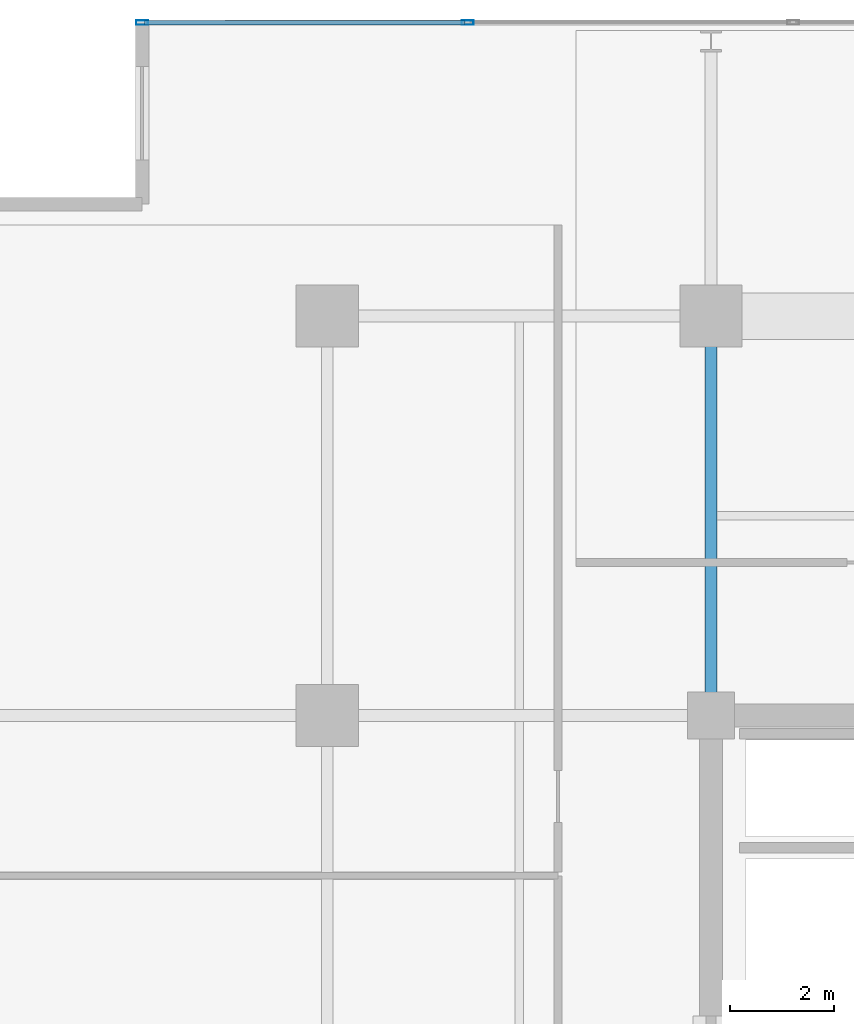
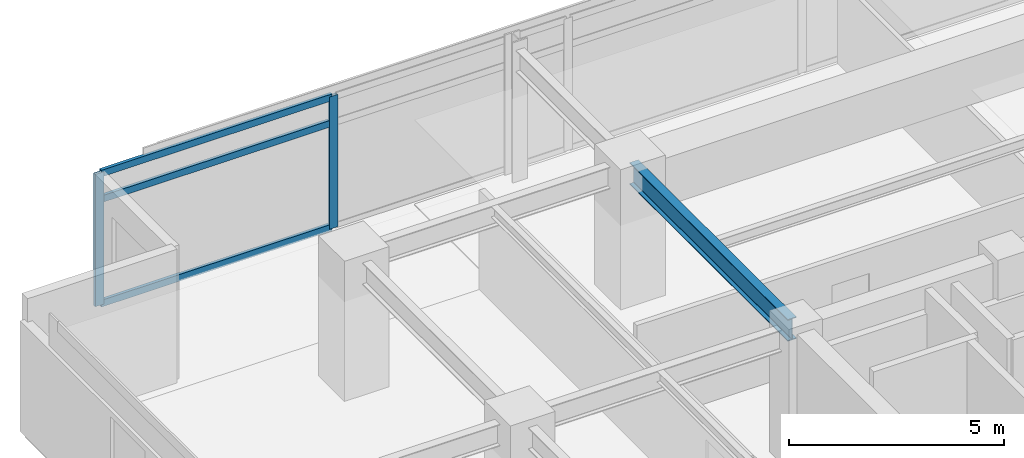
# One storey, part 8 of 21: 5 members, 1 beam, 1 element without a shape of its own.
"""IFC4 building model written with IfcOpenShell, lengths in metres."""

import ifcopenshell
import ifcopenshell.guid

model = None  # the IFC model being written
_history = None  # IfcOwnerHistory: only IFC2X3 demands one
_inside = {}  # id of a spatial element -> (the spatial element, [elements in it])
_under = {}  # id of a project, library or spatial element -> (it, [spatial elements below it])
_declared = {}  # id of a project -> (the project, [libraries it declares])
_typed = {}  # id of a type object -> (the type object, [elements of that type])
_made_of = {}  # id of a material, layer set ... -> (it, [elements and type objects made of it])


def new_model(schema):
    """Start an empty IFC model of exactly this schema.

    Asked for "IFC4X3", IfcOpenShell would pick the latest addendum, in which some entities
    have other attributes; the version numbers below select the first issue.
    IFC2X3 requires an IfcOwnerHistory on every rooted entity: one is made here for all.
    """
    global model, _history
    if schema == "IFC4X3":
        model = ifcopenshell.file(schema_version=(4, 3, 0, 0))
    else:
        model = ifcopenshell.file(schema=schema)
    _inside.clear()
    _under.clear()
    _declared.clear()
    _typed.clear()
    _made_of.clear()
    _history = None
    if model.schema == "IFC2X3":
        org = make("IfcOrganization", Name="unknown")
        user = make(
            "IfcPersonAndOrganization",
            ThePerson=make("IfcPerson", FamilyName="unknown"),
            TheOrganization=org,
        )
        app = make(
            "IfcApplication",
            ApplicationDeveloper=org,
            Version="unknown",
            ApplicationFullName="unknown",
            ApplicationIdentifier="unknown",
        )
        _history = make(
            "IfcOwnerHistory",
            OwningUser=user,
            OwningApplication=app,
            ChangeAction="ADDED",
            CreationDate=0,
        )
    return model


def make(cls, **values):
    """One entity of the class cls with the attributes given. An attribute that is None is left unset."""
    return model.create_entity(
        cls, **{name: value for name, value in values.items() if value is not None}
    )


def rooted(cls, **values):
    """An entity with a GlobalId (a new one), such as an element, a storey or a relation."""
    return make(cls, GlobalId=ifcopenshell.guid.new(), OwnerHistory=_history, **values)


def si_unit(unit_type, name, prefix=None):
    """IfcSIUnit, for example si_unit("LENGTHUNIT", "METRE", prefix="MILLI")."""
    return make("IfcSIUnit", UnitType=unit_type, Prefix=prefix, Name=name)


def assignment(units):
    """IfcUnitAssignment: the units of a project."""
    return None if units is None else make("IfcUnitAssignment", Units=units)


def point(xyz):
    """IfcCartesianPoint."""
    return None if xyz is None else make("IfcCartesianPoint", Coordinates=xyz)


def direction(xyz):
    """IfcDirection."""
    return None if xyz is None else make("IfcDirection", DirectionRatios=xyz)


def frame(location, z_axis=None, x_axis=None):
    """IfcAxis2Placement3D, a coordinate frame: its origin and axes. An axis left out is left unset."""
    return make(
        "IfcAxis2Placement3D",
        Location=point(location),
        Axis=direction(z_axis),
        RefDirection=direction(x_axis),
    )


def frame_2d(location, x_axis=None):
    """IfcAxis2Placement2D, a coordinate frame in the plane: its origin and x axis."""
    return make(
        "IfcAxis2Placement2D", Location=point(location), RefDirection=direction(x_axis)
    )


def origin():
    """The frame at (0, 0, 0) with its axes left unset."""
    return frame((0.0, 0.0, 0.0))


def origin_2d():
    """The frame at (0, 0) in the plane with its x axis left unset."""
    return frame_2d((0.0, 0.0))


def place(relative_to, where):
    """IfcLocalPlacement: puts the frame where relative to a parent placement (None: the world)."""
    return make(
        "IfcLocalPlacement", PlacementRelTo=relative_to, RelativePlacement=where
    )


def context(
    kind, dimensions, precision=None, world=None, true_north=None, identifier=None
):
    """IfcGeometricRepresentationContext, for example the 3D "Model" context."""
    return make(
        "IfcGeometricRepresentationContext",
        ContextIdentifier=identifier,
        ContextType=kind,
        CoordinateSpaceDimension=dimensions,
        Precision=precision,
        WorldCoordinateSystem=world,
        TrueNorth=true_north,
    )


def subcontext(parent, identifier, kind, view, scale=None):
    """IfcGeometricRepresentationSubContext, for example "Body" below "Model"."""
    return make(
        "IfcGeometricRepresentationSubContext",
        ContextIdentifier=identifier,
        ContextType=kind,
        ParentContext=parent,
        TargetScale=scale,
        TargetView=view,
    )


def project(units=None, contexts=None):
    """IfcProject with its units and contexts."""
    return rooted(
        "IfcProject",
        Name="project",
        RepresentationContexts=contexts,
        UnitsInContext=assignment(units),
    )


def spatial(cls, under=None, at=None, **own):
    """A site, building, storey or space (cls), placed at a placement, below another one or the project."""
    s = rooted(cls, ObjectPlacement=at, **own)
    if under is not None:
        _under.setdefault(under.id(), (under, []))[1].append(s)
    return s


def profile(cls, at=None, kind="AREA", **sizes):
    """A parametric profile (cls). Its sizes go by their IFC names, for example OverallWidth=200.0."""
    return make(cls, ProfileType=kind, Position=at, **sizes)


def hollow_rectangle(**sizes):
    """IfcRectangleHollowProfileDef."""
    return profile("IfcRectangleHollowProfileDef", **sizes)


def i_section(**sizes):
    """IfcIShapeProfileDef."""
    return profile("IfcIShapeProfileDef", **sizes)


def extrude(swept, where, along, depth):
    """IfcExtrudedAreaSolid: the profile swept, set in the frame where, extruded along a direction by depth."""
    return make(
        "IfcExtrudedAreaSolid",
        SweptArea=swept,
        Position=where,
        ExtrudedDirection=direction(along),
        Depth=depth,
    )


def shape(context_of_items, identifier, shape_type, items):
    """IfcShapeRepresentation: the items that make up one representation, for example the "Body"."""
    return make(
        "IfcShapeRepresentation",
        ContextOfItems=context_of_items,
        RepresentationIdentifier=identifier,
        RepresentationType=shape_type,
        Items=items,
    )


def material(Name=None, Category=None):
    """IfcMaterial."""
    return make("IfcMaterial", Name=Name, Category=Category)


def material_profile(
    of_material, cross_section, Name=None, Category=None, Priority=None
):
    """IfcMaterialProfile: a cross section and its material."""
    return make(
        "IfcMaterialProfile",
        Name=Name,
        Material=of_material,
        Profile=cross_section,
        Priority=Priority,
        Category=Category,
    )


def profile_set(profiles, Name=None, composite=None):
    """IfcMaterialProfileSet."""
    return make(
        "IfcMaterialProfileSet",
        Name=Name,
        MaterialProfiles=profiles,
        CompositeProfile=composite,
    )


def made_of(thing, what):
    """Note that an element or type object is made of a material, layer set ...; save() writes the relation."""
    if what is not None:
        _made_of.setdefault(what.id(), (what, []))[1].append(thing)
    return thing


def type_object(cls, material=None, **own):
    """A type object (cls), such as IfcWallType, which elements share."""
    return made_of(rooted(cls, **own), material)


def element(
    cls,
    number,
    at=None,
    inside=None,
    cuts=None,
    type_object=None,
    material=None,
    context=None,
    identifier="Body",
    shape_type=None,
    held_by="IfcProductDefinitionShape",
    body=None,
    shapes=None,
    **own,
):
    """One element of the class cls, such as IfcWall. Its Tag is "e" and its number.

    at: its placement. inside: the storey or other place that contains it. cuts: it is an
    opening in that element (IfcRelVoidsElement). A single representation is given by context,
    identifier, shape_type and body (its items); several are given by shapes. held_by: the class
    of the entity that holds the representations. save() writes the other relations.
    """
    e = rooted(cls, Tag="e%d" % number, ObjectPlacement=at, **own)
    if body is not None:
        shapes = [shape(context, identifier, shape_type, body)]
    if shapes is not None:
        e.Representation = make(held_by, Representations=shapes)
    if inside is not None:
        _inside.setdefault(inside.id(), (inside, []))[1].append(e)
    if cuts is not None:
        rooted(
            "IfcRelVoidsElement", RelatingBuildingElement=cuts, RelatedOpeningElement=e
        )
    if type_object is not None:
        _typed.setdefault(type_object.id(), (type_object, []))[1].append(e)
    return made_of(e, material)


def aggregate(whole, parts):
    """IfcRelAggregates: a whole, such as a stair, and the parts it consists of."""
    return rooted("IfcRelAggregates", RelatingObject=whole, RelatedObjects=parts)


def save(model, path):
    """Write the relations noted so far, then the file.

    IfcRelAggregates (storeys below a building ...), IfcRelContainedInSpatialStructure (elements
    in a storey), IfcRelDefinesByType, IfcRelAssociatesMaterial and IfcRelDeclares: one each for
    every whole, place, type object, material and project.
    """
    for whole, parts in _under.values():
        aggregate(whole, parts)
    for where, things in _inside.values():
        rooted(
            "IfcRelContainedInSpatialStructure",
            RelatedElements=things,
            RelatingStructure=where,
        )
    for kind, things in _typed.values():
        rooted("IfcRelDefinesByType", RelatedObjects=things, RelatingType=kind)
    for what, things in _made_of.values():
        rooted("IfcRelAssociatesMaterial", RelatedObjects=things, RelatingMaterial=what)
    for by, libraries in _declared.values():
        rooted("IfcRelDeclares", RelatingContext=by, RelatedDefinitions=libraries)
    model.write(path)


model = new_model("IFC4")

# Units and contexts
model_context = context("Model", 3, precision=1e-05, world=origin(), true_north=direction((0.0, 1.0)))
body_context = subcontext(model_context, "Body", "Model", "MODEL_VIEW")
ifc_project = project(units=[si_unit("LENGTHUNIT", "METRE"), si_unit("AREAUNIT", "SQUARE_METRE"), si_unit("VOLUMEUNIT", "CUBIC_METRE"), si_unit("PLANEANGLEUNIT", "RADIAN"), si_unit("MASSUNIT", "GRAM", prefix="KILO")], contexts=[model_context])

# Site, building, storey
site_placement = place(None, origin())
site = spatial("IfcSite", under=ifc_project, at=site_placement, CompositionType="ELEMENT")
building_placement = place(site_placement, origin())
building = spatial("IfcBuilding", under=site, at=building_placement, Name="Kovane Verandah Tower", CompositionType="ELEMENT")
storey_placement = place(building_placement, frame((0.0, 0.0, 275.199951171875)))
storey = spatial("IfcBuildingStorey", under=building, at=storey_placement, Name="L64", CompositionType="ELEMENT", Elevation=275.199951171875)

# Beam
ifc_material_1 = material(Name="Steel S355", Category="steel")
ifc_material_profile_1 = material_profile(ifc_material_1, i_section(OverallWidth=0.230224609375, OverallDepth=0.6171875, WebThickness=0.01318359375, FlangeThickness=0.022216796875, FilletRadius=0.0126953125, at=origin_2d()), Name="UB610x229x140")
ifc_profile_set_1 = profile_set([ifc_material_profile_1], Name="Steel S355")
beam_type = type_object("IfcBeamType", Name="BM-UB610x140", PredefinedType="BEAM", material=ifc_profile_set_1)
beam_placement = place(storey_placement, frame((29.0, 36.679931640625, 3.4765625), z_axis=(0.0, 1.0, 0.0), x_axis=(-1.0, 0.0, 0.0)))
element("IfcBeam", 1, at=beam_placement, inside=storey, type_object=beam_type, Name="L64 Primary Tower Girder G-N1", PredefinedType="BEAM", context=body_context, shape_type="SweptSolid", body=[
    extrude(i_section(OverallWidth=0.230224609375, OverallDepth=0.6171875, WebThickness=0.01318359375, FlangeThickness=0.022216796875, FilletRadius=0.0126953125, at=origin_2d()), origin(), (0.0, 0.0, 1.0), 7.340087890625),
])

# Curtain wall, members
ifc_material_2 = material(Name="Champagne Anodised Aluminium Frame with Low-E Clear Laminated Glass", Category="aluminium")
curtain_wall_type = type_object("IfcCurtainWallType", Name="CW-SYS-05-HIGH", PredefinedType="NOTDEFINED", material=ifc_material_2)
curtain_wall_placement = place(storey_placement, origin())
curtain_wall = element("IfcCurtainWall", 2, at=curtain_wall_placement, inside=storey, type_object=curtain_wall_type, Name="L64 N Unitised Curtain Wall", PredefinedType="NOTDEFINED")
ifc_material_3 = material(Name="Champagne Anodised Aluminium 6063-T6", Category="aluminium")
ifc_material_profile_2 = material_profile(ifc_material_3, hollow_rectangle(XDim=0.0849609375, YDim=0.22998046875, WallThickness=0.00390625, at=origin_2d()), Name="AL85x230x4")
ifc_profile_set_2 = profile_set([ifc_material_profile_2], Name="Champagne Anodised Aluminium 6063-T6")
member_type_1 = type_object("IfcMemberType", Name="CW-MUL-85x230", PredefinedType="MULLION", material=ifc_profile_set_2)
member_1_placement = place(storey_placement, frame((24.3076171875, 49.860107421875, 0.02001953125), z_axis=(0.0, 0.0, 1.0), x_axis=(0.0, 1.0, 0.0)))
member_1 = element("IfcMember", 3, at=member_1_placement, type_object=member_type_1, Name="L64 N Unitised Curtain Wall Mullion 7", PredefinedType="MULLION", context=body_context, shape_type="SweptSolid", body=[
    extrude(hollow_rectangle(XDim=0.0849609375, YDim=0.22998046875, WallThickness=0.00390625, at=origin_2d()), origin(), (0.0, 0.0, 1.0), 3.7451171875),
])
member_2_placement = place(storey_placement, frame((18.03076171875, 49.860107421875, 0.02001953125), z_axis=(0.0, 0.0, 1.0), x_axis=(0.0, 1.0, 0.0)))
member_2 = element("IfcMember", 4, at=member_2_placement, type_object=member_type_1, Name="L64 N Unitised Curtain Wall Mullion 8", PredefinedType="MULLION", context=body_context, shape_type="SweptSolid", body=[
    extrude(hollow_rectangle(XDim=0.0849609375, YDim=0.22998046875, WallThickness=0.00390625, at=origin_2d()), origin(), (0.0, 0.0, 1.0), 3.7451171875),
])
ifc_material_profile_3 = material_profile(ifc_material_3, hollow_rectangle(XDim=0.0849609375, YDim=0.18994140625, WallThickness=0.00390625, at=origin_2d()), Name="AL85x190x4")
ifc_profile_set_3 = profile_set([ifc_material_profile_3], Name="Champagne Anodised Aluminium 6063-T6")
member_type_2 = type_object("IfcMemberType", Name="CW-TRN-85x190", PredefinedType="USERDEFINED", material=ifc_profile_set_3)
member_3_placement = place(storey_placement, frame((24.257568359375, 49.860107421875, 0.050048828125), z_axis=(-1.0, 0.0, 0.0), x_axis=(0.0, -1.0, 0.0)))
member_3 = element("IfcMember", 5, at=member_3_placement, type_object=member_type_2, Name="L64 N Unitised Curtain Wall Transom TB Bay 7", ObjectType="TRANSOM", PredefinedType="USERDEFINED", context=body_context, shape_type="SweptSolid", body=[
    extrude(hollow_rectangle(XDim=0.0849609375, YDim=0.18994140625, WallThickness=0.00390625, at=origin_2d()), origin(), (0.0, 0.0, 1.0), 6.1767578125),
])
member_4_placement = place(storey_placement, frame((24.257568359375, 49.860107421875, 3.005126953125), z_axis=(-1.0, 0.0, 0.0), x_axis=(0.0, -1.0, 0.0)))
member_4 = element("IfcMember", 6, at=member_4_placement, type_object=member_type_2, Name="L64 N Unitised Curtain Wall Transom TM Bay 7", ObjectType="TRANSOM", PredefinedType="USERDEFINED", context=body_context, shape_type="SweptSolid", body=[
    extrude(hollow_rectangle(XDim=0.0849609375, YDim=0.18994140625, WallThickness=0.00390625, at=origin_2d()), origin(), (0.0, 0.0, 1.0), 6.1767578125),
])
member_5_placement = place(storey_placement, frame((24.257568359375, 49.860107421875, 3.735107421875), z_axis=(-1.0, 0.0, 0.0), x_axis=(0.0, -1.0, 0.0)))
member_5 = element("IfcMember", 7, at=member_5_placement, type_object=member_type_2, Name="L64 N Unitised Curtain Wall Transom TT Bay 7", ObjectType="TRANSOM", PredefinedType="USERDEFINED", context=body_context, shape_type="SweptSolid", body=[
    extrude(hollow_rectangle(XDim=0.0849609375, YDim=0.18994140625, WallThickness=0.00390625, at=origin_2d()), origin(), (0.0, 0.0, 1.0), 6.1767578125),
])
aggregate(curtain_wall, [member_1, member_2, member_3, member_4, member_5])

save(model, "model.ifc")
